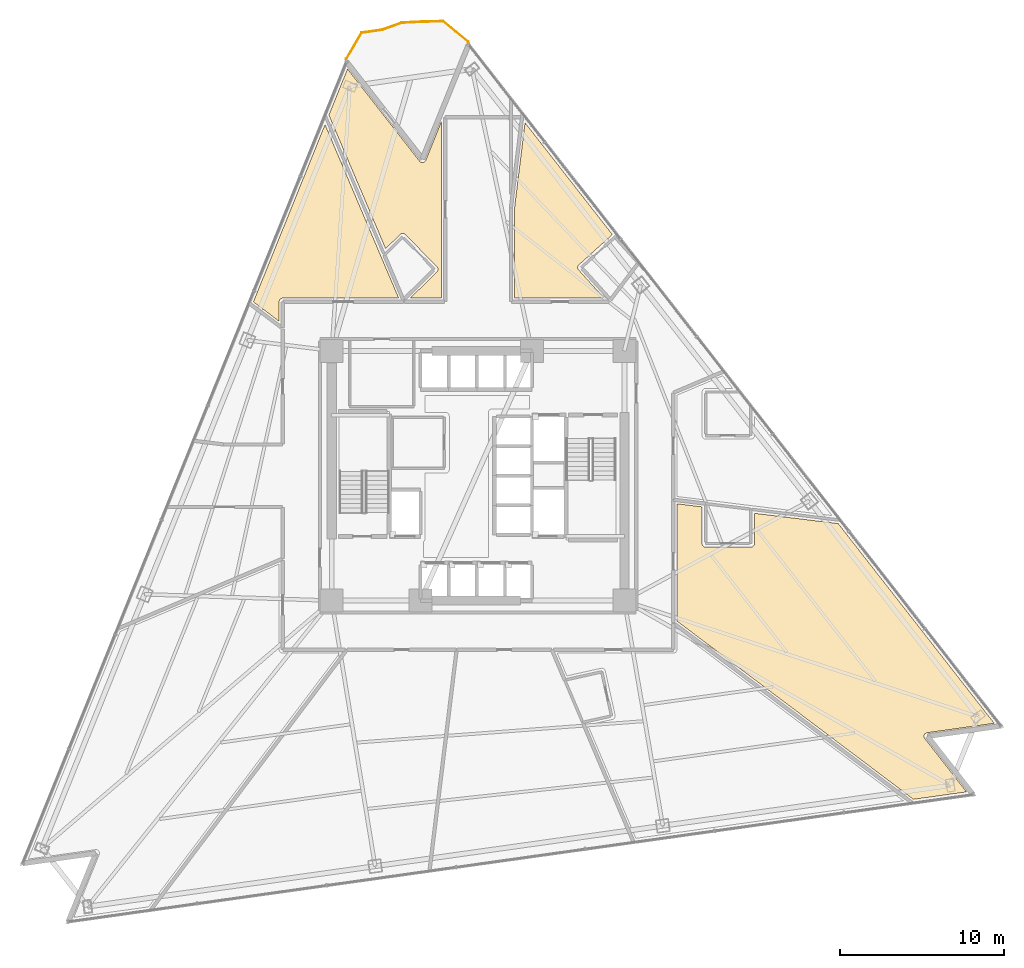
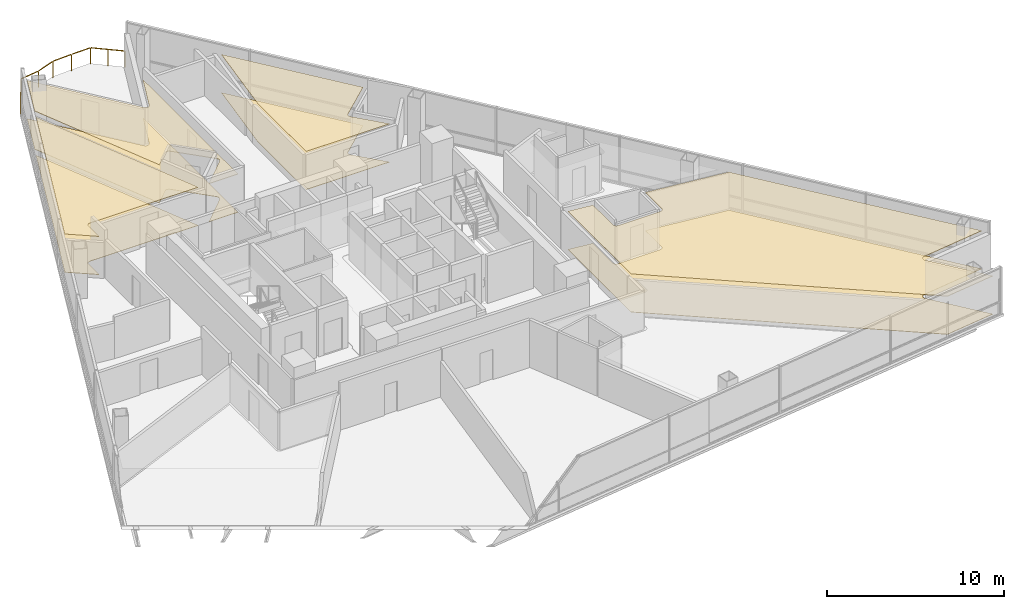
# One storey, part 15 of 15: 8 coverings, 1 railing.
"""IFC4 building model written with IfcOpenShell, lengths in metres."""

from ifc_helpers import new_model, si_unit, direction, frame, origin, origin_2d, place, context, subcontext, project, spatial, polyline, rectangle, outline, extrude, material, layer, layer_set, type_object, element, save


model = new_model("IFC4")

# Units and contexts
model_context = context("Model", 3, precision=1e-05, world=origin(), true_north=direction((0.0, 1.0)))
body_context = subcontext(model_context, "Body", "Model", "MODEL_VIEW")
ifc_project = project(units=[si_unit("LENGTHUNIT", "METRE"), si_unit("AREAUNIT", "SQUARE_METRE"), si_unit("VOLUMEUNIT", "CUBIC_METRE"), si_unit("PLANEANGLEUNIT", "RADIAN"), si_unit("MASSUNIT", "GRAM", prefix="KILO")], contexts=[model_context])

# Site, building, storey
site_placement = place(None, origin())
site = spatial("IfcSite", under=ifc_project, at=site_placement, CompositionType="ELEMENT")
building_placement = place(site_placement, origin())
building = spatial("IfcBuilding", under=site, at=building_placement, Name="Tharavind Bronze Gate", CompositionType="ELEMENT")
storey_placement = place(building_placement, frame((0.0, 0.0, 74.199951171875)))
storey = spatial("IfcBuildingStorey", under=building, at=storey_placement, Name="L18", CompositionType="ELEMENT", Elevation=74.199951171875)

# Coverings
ifc_material_1 = material(Name="Perforated Bronze Acoustic Panel", Category="bronze")
ifc_layer_1 = layer(ifc_material_1, 0.044921875)
ifc_layer_set_1 = layer_set([ifc_layer_1], Name="Perforated Bronze Acoustic Panel")
covering_type_1 = type_object("IfcCoveringType", Name="ACOUSTIC BRONZE BAFFLE CEILING", PredefinedType="CEILING", material=ifc_layer_set_1)
covering_1_placement = place(storey_placement, frame((0.0, 0.0, 2.625)))
element("IfcCovering", 1, at=covering_1_placement, inside=storey, type_object=covering_type_1, Name="L18-RM-03 suspended ceiling", PredefinedType="CEILING", context=body_context, shape_type="SweptSolid", body=[
    extrude(outline(polyline([(-12.10009765625, 9.3935546875), (-12.10009765625, 10.579345703125), (-12.099609375, 10.590087890625), (-12.099609375, 10.5908203125), (-12.09765625, 10.6123046875), (-12.093505859375, 10.63330078125), (-12.087158203125, 10.654052734375), (-12.078857421875, 10.674072265625), (-12.068603515625, 10.693115234375), (-12.056640625, 10.7109375), (-12.04296875, 10.727783203125), (-12.027587890625, 10.742919921875), (-12.010986328125, 10.756591796875), (-11.9931640625, 10.768798828125), (-11.97412109375, 10.77880859375), (-11.9541015625, 10.787109375), (-11.933349609375, 10.79345703125), (-11.912353515625, 10.797607421875), (-11.890869140625, 10.7998046875), (-11.89013671875, 10.7998046875), (-11.87939453125, 10.800048828125), (-4.8232421875, 10.800048828125), (-9.306884765625, 21.36279296875), (-13.666015625, 10.573486328125), (-12.10009765625, 9.3935546875)])), origin(), (0.0, 0.0, 1.0), 0.03515625),
])
ifc_material_2 = material(Name="Engineered Oak & Carpet Tile", Category="wood")
ifc_layer_2 = layer(ifc_material_2, 0.02490234375)
ifc_layer_set_2 = layer_set([ifc_layer_2], Name="Engineered Oak & Carpet Tile")
covering_type_2 = type_object("IfcCoveringType", Name="ENGINEERED TIMBER FLOORING", PredefinedType="FLOORING", material=ifc_layer_set_2)
covering_2_placement = place(storey_placement, origin())
element("IfcCovering", 2, at=covering_2_placement, inside=storey, type_object=covering_type_2, Name="L18-RM-01 floor finish", PredefinedType="FLOORING", context=body_context, shape_type="SweptSolid", body=[
    extrude(outline(polyline([(7.67578125, 10.800048828125), (6.12158203125, 12.51708984375), (6.10791015625, 12.53369140625), (6.095947265625, 12.5517578125), (6.085693359375, 12.57080078125), (6.077392578125, 12.5908203125), (6.0712890625, 12.611328125), (6.067138671875, 12.632568359375), (6.06494140625, 12.654052734375), (6.06494140625, 12.67578125), (6.067138671875, 12.697021484375), (6.0712890625, 12.71826171875), (6.07763671875, 12.739013671875), (6.0859375, 12.7587890625), (6.09619140625, 12.77783203125), (6.108154296875, 12.7958984375), (6.121826171875, 12.8125), (6.13720703125, 12.827880859375), (8.1748046875, 14.672119140625), (2.858642578125, 21.476318359375), (2.219970703125, 16.275146484375), (2.219970703125, 10.800048828125), (7.67578125, 10.800048828125)])), origin(), (0.0, 0.0, 1.0), 0.025146484375),
])
covering_3_placement = place(storey_placement, origin())
element("IfcCovering", 3, at=covering_3_placement, inside=storey, type_object=covering_type_2, Name="L18-RM-02 floor finish", PredefinedType="FLOORING", context=body_context, shape_type="SweptSolid", body=[
    extrude(outline(polyline([(-5.621337890625, 13.80615234375), (-4.7392578125, 14.675537109375), (-4.72314453125, 14.68994140625), (-4.705810546875, 14.70263671875), (-4.687255859375, 14.713623046875), (-4.66748046875, 14.72265625), (-4.647216796875, 14.729736328125), (-4.626220703125, 14.73486328125), (-4.60498046875, 14.73779296875), (-4.583251953125, 14.73876953125), (-4.561767578125, 14.737548828125), (-4.540283203125, 14.734130859375), (-4.51953125, 14.728759765625), (-4.499267578125, 14.721435546875), (-4.479736328125, 14.712158203125), (-4.46142578125, 14.70068359375), (-4.444091796875, 14.687744140625), (-4.42822265625, 14.673095703125), (-2.497802734375, 12.714599609375), (-2.4833984375, 12.698486328125), (-2.470703125, 12.68115234375), (-2.459716796875, 12.66259765625), (-2.45068359375, 12.642822265625), (-2.443603515625, 12.62255859375), (-2.4384765625, 12.6015625), (-2.435302734375, 12.580078125), (-2.4345703125, 12.55859375), (-2.435791015625, 12.537109375), (-2.439208984375, 12.515625), (-2.444580078125, 12.494873046875), (-2.451904296875, 12.474609375), (-2.461181640625, 12.455078125), (-2.472412109375, 12.436767578125), (-2.485595703125, 12.41943359375), (-2.5, 12.403564453125), (-4.126953125, 10.800048828125), (-2.219970703125, 10.800048828125), (-2.219970703125, 21.56494140625), (-3.17919921875, 19.191162109375), (-3.183349609375, 19.18115234375), (-3.18359375, 19.1806640625), (-3.19384765625, 19.1611328125), (-3.2060546875, 19.142822265625), (-3.2197265625, 19.125732421875), (-3.2353515625, 19.1103515625), (-3.252197265625, 19.096435546875), (-3.2705078125, 19.084228515625), (-3.289794921875, 19.073974609375), (-3.31005859375, 19.065673828125), (-3.331298828125, 19.059326171875), (-3.352783203125, 19.05517578125), (-3.37451171875, 19.05322265625), (-3.396484375, 19.053466796875), (-3.418212890625, 19.055908203125), (-3.439697265625, 19.060302734375), (-3.460693359375, 19.067138671875), (-3.480712890625, 19.07568359375), (-3.5, 19.08642578125), (-3.517822265625, 19.09912109375), (-3.534423828125, 19.11328125), (-3.5498046875, 19.129150390625), (-3.550048828125, 19.129638671875), (-3.556884765625, 19.137939453125), (-7.939453125, 24.747314453125), (-9.07373046875, 21.939697265625), (-5.621337890625, 13.80615234375)])), origin(), (0.0, 0.0, 1.0), 0.025146484375),
])
covering_4_placement = place(storey_placement, origin())
element("IfcCovering", 4, at=covering_4_placement, inside=storey, type_object=covering_type_2, Name="L18-RM-10 floor finish", PredefinedType="FLOORING", context=body_context, shape_type="SweptSolid", body=[
    extrude(outline(polyline([(12.10009765625, -8.842529296875), (26.4921875, -19.68798828125), (29.7197265625, -19.234375), (27.184326171875, -15.989013671875), (27.177734375, -15.980224609375), (27.177490234375, -15.979736328125), (27.165771484375, -15.961181640625), (27.156005859375, -15.941650390625), (27.148193359375, -15.921142578125), (27.142333984375, -15.89990234375), (27.138916015625, -15.87841796875), (27.137451171875, -15.8564453125), (27.13818359375, -15.83447265625), (27.14111328125, -15.812744140625), (27.146240234375, -15.79150390625), (27.1533203125, -15.770751953125), (27.16259765625, -15.750732421875), (27.173583984375, -15.73193359375), (27.186767578125, -15.714111328125), (27.201416015625, -15.697998046875), (27.217529296875, -15.68310546875), (27.235107421875, -15.670166015625), (27.254150390625, -15.658935546875), (27.27392578125, -15.649658203125), (27.294677734375, -15.642333984375), (27.31591796875, -15.63720703125), (27.31640625, -15.636962890625), (27.327392578125, -15.63525390625), (31.405517578125, -15.06201171875), (21.9130859375, -2.912109375), (16.820068359375, -2.286865234375), (16.820068359375, -4.123291015625), (16.81884765625, -4.14501953125), (16.81591796875, -4.166259765625), (16.810546875, -4.187255859375), (16.80322265625, -4.20751953125), (16.7939453125, -4.22705078125), (16.782958984375, -4.24560546875), (16.77001953125, -4.262939453125), (16.755615234375, -4.279052734375), (16.739501953125, -4.29345703125), (16.72216796875, -4.306396484375), (16.70361328125, -4.3173828125), (16.68408203125, -4.32666015625), (16.663818359375, -4.333984375), (16.642822265625, -4.339111328125), (16.62158203125, -4.34228515625), (16.60009765625, -4.343505859375), (13.85009765625, -4.343505859375), (13.828369140625, -4.34228515625), (13.80712890625, -4.339111328125), (13.7861328125, -4.333984375), (13.765869140625, -4.32666015625), (13.746337890625, -4.3173828125), (13.727783203125, -4.306396484375), (13.71044921875, -4.29345703125), (13.6943359375, -4.279052734375), (13.679931640625, -4.262939453125), (13.6669921875, -4.24560546875), (13.656005859375, -4.22705078125), (13.646728515625, -4.20751953125), (13.639404296875, -4.187255859375), (13.63427734375, -4.166259765625), (13.631103515625, -4.14501953125), (13.6298828125, -4.123291015625), (13.6298828125, -1.895263671875), (12.10009765625, -1.707275390625), (12.10009765625, -8.842529296875)])), origin(), (0.0, 0.0, 1.0), 0.025146484375),
])
ifc_material_3 = material(Name="Acoustic Gypsum Board", Category="gypsum")
ifc_layer_3 = layer(ifc_material_3, 0.030029296875)
ifc_layer_set_3 = layer_set([ifc_layer_3], Name="Acoustic Gypsum Board")
covering_type_3 = type_object("IfcCoveringType", Name="GYPSUM SUSPENDED CEILING", PredefinedType="CEILING", material=ifc_layer_set_3)
covering_5_placement = place(storey_placement, frame((0.0, 0.0, 2.625)))
element("IfcCovering", 5, at=covering_5_placement, inside=storey, type_object=covering_type_3, Name="L18-RM-01 suspended ceiling", PredefinedType="CEILING", context=body_context, shape_type="SweptSolid", body=[
    extrude(outline(polyline([(7.67578125, 10.800048828125), (6.12158203125, 12.51708984375), (6.10791015625, 12.53369140625), (6.095947265625, 12.5517578125), (6.085693359375, 12.57080078125), (6.077392578125, 12.5908203125), (6.0712890625, 12.611328125), (6.067138671875, 12.632568359375), (6.06494140625, 12.654052734375), (6.06494140625, 12.67578125), (6.067138671875, 12.697021484375), (6.0712890625, 12.71826171875), (6.07763671875, 12.739013671875), (6.0859375, 12.7587890625), (6.09619140625, 12.77783203125), (6.108154296875, 12.7958984375), (6.121826171875, 12.8125), (6.13720703125, 12.827880859375), (8.1748046875, 14.672119140625), (2.858642578125, 21.476318359375), (2.219970703125, 16.275146484375), (2.219970703125, 10.800048828125), (7.67578125, 10.800048828125)])), origin(), (0.0, 0.0, 1.0), 0.03515625),
])
covering_6_placement = place(storey_placement, frame((0.0, 0.0, 2.625)))
element("IfcCovering", 6, at=covering_6_placement, inside=storey, type_object=covering_type_3, Name="L18-RM-02 suspended ceiling", PredefinedType="CEILING", context=body_context, shape_type="SweptSolid", body=[
    extrude(outline(polyline([(-5.621337890625, 13.80615234375), (-4.7392578125, 14.675537109375), (-4.72314453125, 14.68994140625), (-4.705810546875, 14.70263671875), (-4.687255859375, 14.713623046875), (-4.66748046875, 14.72265625), (-4.647216796875, 14.729736328125), (-4.626220703125, 14.73486328125), (-4.60498046875, 14.73779296875), (-4.583251953125, 14.73876953125), (-4.561767578125, 14.737548828125), (-4.540283203125, 14.734130859375), (-4.51953125, 14.728759765625), (-4.499267578125, 14.721435546875), (-4.479736328125, 14.712158203125), (-4.46142578125, 14.70068359375), (-4.444091796875, 14.687744140625), (-4.42822265625, 14.673095703125), (-2.497802734375, 12.714599609375), (-2.4833984375, 12.698486328125), (-2.470703125, 12.68115234375), (-2.459716796875, 12.66259765625), (-2.45068359375, 12.642822265625), (-2.443603515625, 12.62255859375), (-2.4384765625, 12.6015625), (-2.435302734375, 12.580078125), (-2.4345703125, 12.55859375), (-2.435791015625, 12.537109375), (-2.439208984375, 12.515625), (-2.444580078125, 12.494873046875), (-2.451904296875, 12.474609375), (-2.461181640625, 12.455078125), (-2.472412109375, 12.436767578125), (-2.485595703125, 12.41943359375), (-2.5, 12.403564453125), (-4.126953125, 10.800048828125), (-2.219970703125, 10.800048828125), (-2.219970703125, 21.56494140625), (-3.17919921875, 19.191162109375), (-3.183349609375, 19.18115234375), (-3.18359375, 19.1806640625), (-3.19384765625, 19.1611328125), (-3.2060546875, 19.142822265625), (-3.2197265625, 19.125732421875), (-3.2353515625, 19.1103515625), (-3.252197265625, 19.096435546875), (-3.2705078125, 19.084228515625), (-3.289794921875, 19.073974609375), (-3.31005859375, 19.065673828125), (-3.331298828125, 19.059326171875), (-3.352783203125, 19.05517578125), (-3.37451171875, 19.05322265625), (-3.396484375, 19.053466796875), (-3.418212890625, 19.055908203125), (-3.439697265625, 19.060302734375), (-3.460693359375, 19.067138671875), (-3.480712890625, 19.07568359375), (-3.5, 19.08642578125), (-3.517822265625, 19.09912109375), (-3.534423828125, 19.11328125), (-3.5498046875, 19.129150390625), (-3.550048828125, 19.129638671875), (-3.556884765625, 19.137939453125), (-7.939453125, 24.747314453125), (-9.07373046875, 21.939697265625), (-5.621337890625, 13.80615234375)])), origin(), (0.0, 0.0, 1.0), 0.03515625),
])
covering_7_placement = place(storey_placement, frame((0.0, 0.0, 2.625)))
element("IfcCovering", 7, at=covering_7_placement, inside=storey, type_object=covering_type_3, Name="L18-RM-10 suspended ceiling", PredefinedType="CEILING", context=body_context, shape_type="SweptSolid", body=[
    extrude(outline(polyline([(12.10009765625, -8.842529296875), (26.4921875, -19.68798828125), (29.7197265625, -19.234375), (27.184326171875, -15.989013671875), (27.177734375, -15.980224609375), (27.177490234375, -15.979736328125), (27.165771484375, -15.961181640625), (27.156005859375, -15.941650390625), (27.148193359375, -15.921142578125), (27.142333984375, -15.89990234375), (27.138916015625, -15.87841796875), (27.137451171875, -15.8564453125), (27.13818359375, -15.83447265625), (27.14111328125, -15.812744140625), (27.146240234375, -15.79150390625), (27.1533203125, -15.770751953125), (27.16259765625, -15.750732421875), (27.173583984375, -15.73193359375), (27.186767578125, -15.714111328125), (27.201416015625, -15.697998046875), (27.217529296875, -15.68310546875), (27.235107421875, -15.670166015625), (27.254150390625, -15.658935546875), (27.27392578125, -15.649658203125), (27.294677734375, -15.642333984375), (27.31591796875, -15.63720703125), (27.31640625, -15.636962890625), (27.327392578125, -15.63525390625), (31.405517578125, -15.06201171875), (21.9130859375, -2.912109375), (16.820068359375, -2.286865234375), (16.820068359375, -4.123291015625), (16.81884765625, -4.14501953125), (16.81591796875, -4.166259765625), (16.810546875, -4.187255859375), (16.80322265625, -4.20751953125), (16.7939453125, -4.22705078125), (16.782958984375, -4.24560546875), (16.77001953125, -4.262939453125), (16.755615234375, -4.279052734375), (16.739501953125, -4.29345703125), (16.72216796875, -4.306396484375), (16.70361328125, -4.3173828125), (16.68408203125, -4.32666015625), (16.663818359375, -4.333984375), (16.642822265625, -4.339111328125), (16.62158203125, -4.34228515625), (16.60009765625, -4.343505859375), (13.85009765625, -4.343505859375), (13.828369140625, -4.34228515625), (13.80712890625, -4.339111328125), (13.7861328125, -4.333984375), (13.765869140625, -4.32666015625), (13.746337890625, -4.3173828125), (13.727783203125, -4.306396484375), (13.71044921875, -4.29345703125), (13.6943359375, -4.279052734375), (13.679931640625, -4.262939453125), (13.6669921875, -4.24560546875), (13.656005859375, -4.22705078125), (13.646728515625, -4.20751953125), (13.639404296875, -4.187255859375), (13.63427734375, -4.166259765625), (13.631103515625, -4.14501953125), (13.6298828125, -4.123291015625), (13.6298828125, -1.895263671875), (12.10009765625, -1.707275390625), (12.10009765625, -8.842529296875)])), origin(), (0.0, 0.0, 1.0), 0.03515625),
])
ifc_material_4 = material(Name="Honed Travertine Limestone", Category="masonry")
ifc_layer_4 = layer(ifc_material_4, 0.030029296875)
ifc_layer_set_4 = layer_set([ifc_layer_4], Name="Honed Travertine Limestone")
covering_type_4 = type_object("IfcCoveringType", Name="HONED LIMESTONE FLOORING", PredefinedType="FLOORING", material=ifc_layer_set_4)
covering_8_placement = place(storey_placement, origin())
element("IfcCovering", 8, at=covering_8_placement, inside=storey, type_object=covering_type_4, Name="L18-RM-03 floor finish", PredefinedType="FLOORING", context=body_context, shape_type="SweptSolid", body=[
    extrude(outline(polyline([(-12.10009765625, 9.3935546875), (-12.10009765625, 10.579345703125), (-12.099609375, 10.590087890625), (-12.099609375, 10.5908203125), (-12.09765625, 10.6123046875), (-12.093505859375, 10.63330078125), (-12.087158203125, 10.654052734375), (-12.078857421875, 10.674072265625), (-12.068603515625, 10.693115234375), (-12.056640625, 10.7109375), (-12.04296875, 10.727783203125), (-12.027587890625, 10.742919921875), (-12.010986328125, 10.756591796875), (-11.9931640625, 10.768798828125), (-11.97412109375, 10.77880859375), (-11.9541015625, 10.787109375), (-11.933349609375, 10.79345703125), (-11.912353515625, 10.797607421875), (-11.890869140625, 10.7998046875), (-11.89013671875, 10.7998046875), (-11.87939453125, 10.800048828125), (-4.8232421875, 10.800048828125), (-9.306884765625, 21.36279296875), (-13.666015625, 10.573486328125), (-12.10009765625, 9.3935546875)])), origin(), (0.0, 0.0, 1.0), 0.025146484375),
])

# Railing
ifc_material_5 = material(Name="Bronze Cap & Laminated Glass", Category="glass")
railing_type = type_object("IfcRailingType", Name="TERRACE GLASS GUARD RAILING 1150", PredefinedType="GUARDRAIL", material=ifc_material_5)
railing_placement = place(storey_placement, frame((-8.02294921875, 25.341552734375, 0.0)))
element("IfcRailing", 9, at=railing_placement, inside=storey, type_object=railing_type, Name="L18 tree balcony guard railing", PredefinedType="GUARDRAIL", context=body_context, shape_type="SweptSolid", body=[
    extrude(rectangle(XDim=0.048095703125, YDim=0.048095703125, at=origin_2d()), frame((0.01611328125, 0.027587890625, 1.1259765625), z_axis=(0.5072203259, 0.861816419543, 0.0), x_axis=(-0.861816419543, 0.5072203259, 0.0)), (0.0, 0.0, 1.0), 1.80126953125),
    extrude(rectangle(XDim=0.048095703125, YDim=0.048095703125, at=origin_2d()), frame((0.977783203125, 1.61181640625, 1.1259765625), z_axis=(0.99028265427, 0.139069280047, 0.0), x_axis=(-0.139069280047, 0.99028265427, 0.0)), (0.0, 0.0, 1.0), 1.18603515625),
    extrude(rectangle(XDim=0.048095703125, YDim=0.048095703125, at=origin_2d()), frame((2.2138671875, 1.7919921875, 1.1259765625), z_axis=(0.941126052549, 0.338055843337, 0.0), x_axis=(-0.338055843337, 0.941126052549, 0.0)), (0.0, 0.0, 1.0), 1.212890625),
    extrude(rectangle(XDim=0.048095703125, YDim=0.048095703125, at=origin_2d()), frame((3.41748046875, 2.214599609375, 1.1259765625), z_axis=(0.998749426413, 0.049995832214, 0.0), x_axis=(-0.049995832214, 0.998749426413, 0.0)), (0.0, 0.0, 1.0), 1.19091796875),
    extrude(rectangle(XDim=0.048095703125, YDim=0.048095703125, at=origin_2d()), frame((4.6708984375, 2.2763671875, 1.1259765625), z_axis=(0.999759833143, 0.021915200998, 0.0), x_axis=(-0.021915200998, 0.999759833143, 0.0)), (0.0, 0.0, 1.0), 1.19482421875),
    extrude(rectangle(XDim=0.048095703125, YDim=0.048095703125, at=origin_2d()), frame((5.922119140625, 2.282958984375, 1.1259765625), z_axis=(0.772015598117, -0.635603584212, 0.0), x_axis=(0.635603584212, 0.772015598117, 0.0)), (0.0, 0.0, 1.0), 1.917236328125),
    extrude(rectangle(XDim=0.0400390625, YDim=0.0400390625, at=origin_2d()), origin(), (0.0, 0.0, 1.0), 1.097900390625),
    extrude(rectangle(XDim=0.0400390625, YDim=0.0400390625, at=origin_2d()), frame((0.47314453125, 0.8037109375, 0.0)), (0.0, 0.0, 1.0), 1.097900390625),
    extrude(rectangle(XDim=0.0400390625, YDim=0.0400390625, at=origin_2d()), frame((0.946044921875, 1.607421875, 0.0)), (0.0, 0.0, 1.0), 1.097900390625),
    extrude(rectangle(XDim=0.0400390625, YDim=0.0400390625, at=origin_2d()), frame((2.183837890625, 1.78125, 0.0)), (0.0, 0.0, 1.0), 1.097900390625),
    extrude(rectangle(XDim=0.0400390625, YDim=0.0400390625, at=origin_2d()), frame((3.385498046875, 2.212890625, 0.0)), (0.0, 0.0, 1.0), 1.097900390625),
    extrude(rectangle(XDim=0.0400390625, YDim=0.0400390625, at=origin_2d()), frame((4.638916015625, 2.275634765625, 0.0)), (0.0, 0.0, 1.0), 1.097900390625),
    extrude(rectangle(XDim=0.0400390625, YDim=0.0400390625, at=origin_2d()), frame((5.8974609375, 2.30322265625, 0.0)), (0.0, 0.0, 1.0), 1.097900390625),
    extrude(rectangle(XDim=0.0400390625, YDim=0.0400390625, at=origin_2d()), frame((6.662109375, 1.673583984375, 0.0)), (0.0, 0.0, 1.0), 1.097900390625),
    extrude(rectangle(XDim=0.0400390625, YDim=0.0400390625, at=origin_2d()), frame((7.427001953125, 1.0439453125, 0.0)), (0.0, 0.0, 1.0), 1.097900390625),
])

save(model, "model.ifc")
